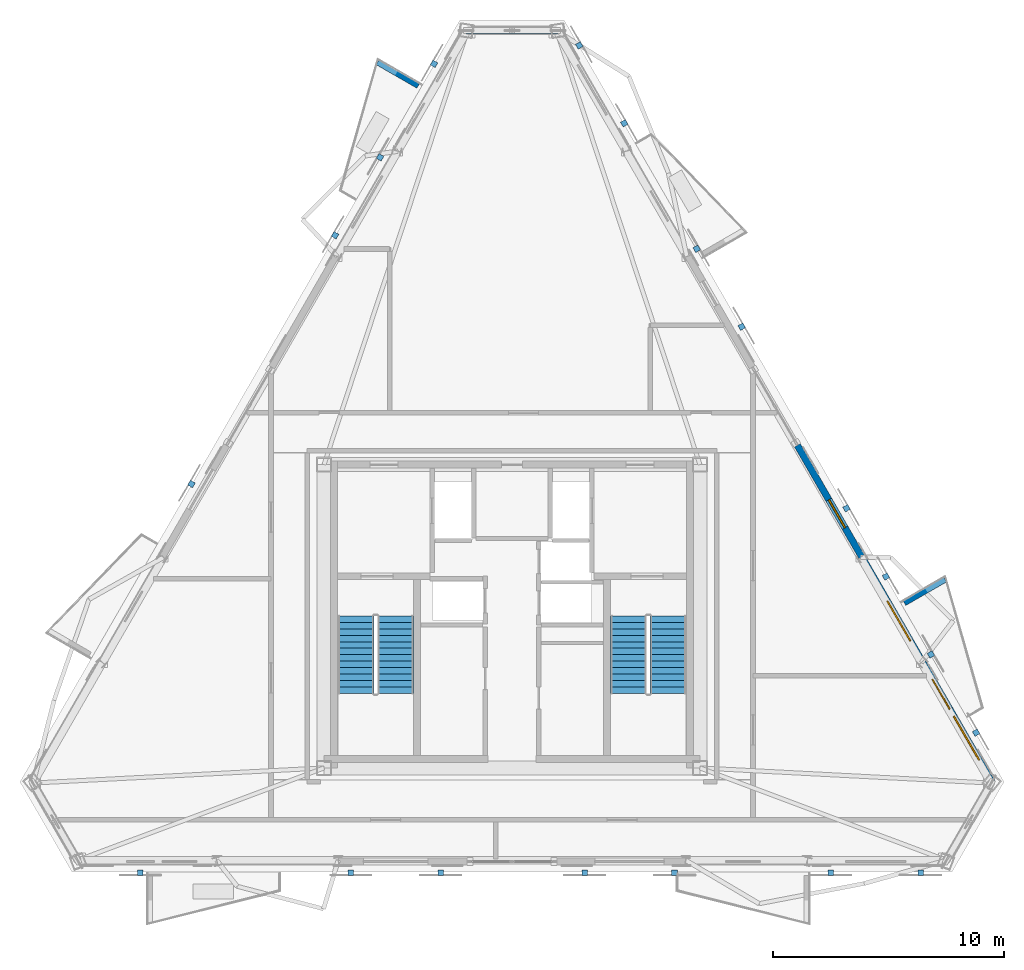
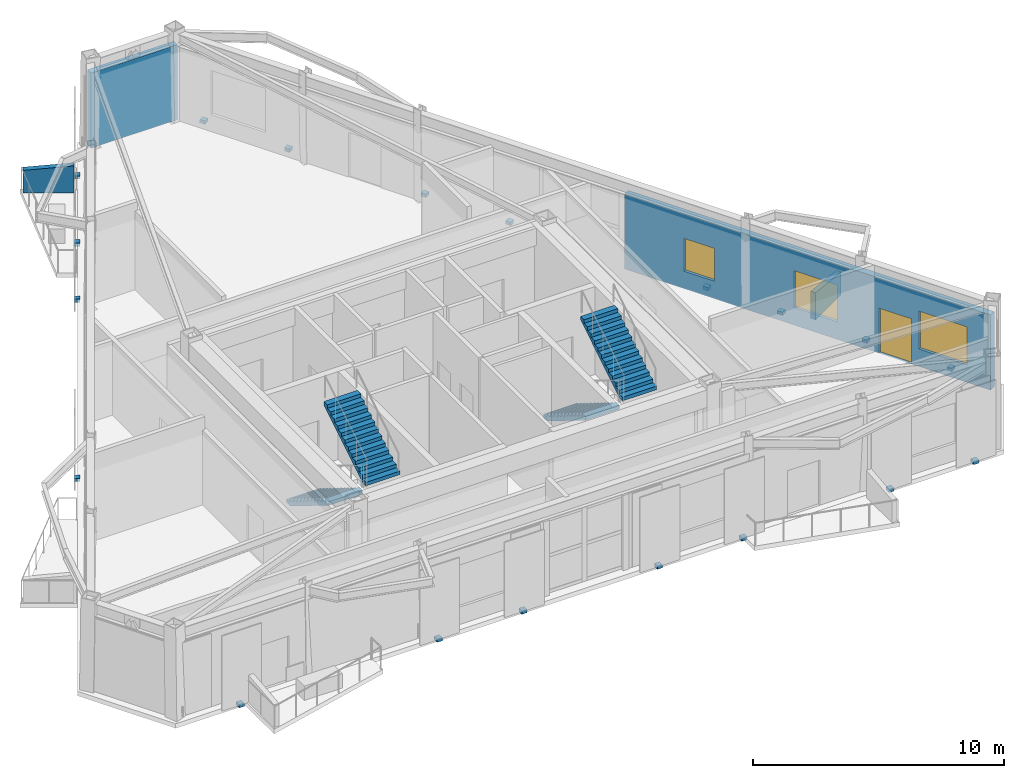
# One storey, part 12 of 16: 19 discrete accessories, 4 stair flights, 4 walls, 3 windows, 1 door, 4 openings, 2 elements without a shape of their own.
"""IFC4 building model written with IfcOpenShell, lengths in metres."""

from ifc_helpers import new_model, si_unit, direction, frame, frame_2d, origin, origin_2d, place, context, subcontext, project, spatial, polyline, rectangle, outline, extrude, material, layer, layer_set, type_object, element, fill, aggregate, save


model = new_model("IFC4")

# Units and contexts
model_context = context("Model", 3, precision=1e-05, world=origin(), true_north=direction((0.0, 1.0)))
body_context = subcontext(model_context, "Body", "Model", "MODEL_VIEW")
ifc_project = project(units=[si_unit("LENGTHUNIT", "METRE"), si_unit("AREAUNIT", "SQUARE_METRE"), si_unit("VOLUMEUNIT", "CUBIC_METRE"), si_unit("PLANEANGLEUNIT", "RADIAN"), si_unit("MASSUNIT", "GRAM", prefix="KILO")], contexts=[model_context])

# Site, building, storey
site_placement = place(None, origin())
site = spatial("IfcSite", under=ifc_project, at=site_placement, CompositionType="ELEMENT")
building_placement = place(site_placement, origin())
building = spatial("IfcBuilding", under=site, at=building_placement, Name="Oramaril Tower", CompositionType="ELEMENT")
storey_placement = place(building_placement, frame((0.0, 0.0, 296.699951171875)))
storey = spatial("IfcBuildingStorey", under=building, at=storey_placement, Name="L78", CompositionType="ELEMENT", Elevation=296.699951171875)

# Wall, openings, door, windows
ifc_material_1 = material(Name="Warm Cream Limestone", Category="masonry")
ifc_layer_1 = layer(ifc_material_1, 0.2900390625)
ifc_layer_set_1 = layer_set([ifc_layer_1], Name="WT-EXT29")
wall_type_1 = type_object("IfcWallType", Name="WT-EXT29", PredefinedType="SOLIDWALL", material=ifc_layer_set_1)
wall_1_placement = place(storey_placement, frame((58.29931640625, 10.391845703125, 0.0), z_axis=(0.0, 0.0, 1.0), x_axis=(-0.500008291124, 0.866020616849, 0.0)))
wall_1 = element("IfcWall", 1, at=wall_1_placement, inside=storey, type_object=wall_type_1, Name="L78 Tower Limestone Facade Wall 4L", PredefinedType="SOLIDWALL", context=body_context, shape_type="SweptSolid", body=[
    extrude(rectangle(XDim=16.857177734375, YDim=0.2900390625, at=frame_2d((8.4287109375, 0.0))), origin(), (0.0, 0.0, 1.0), 3.657958984375),
])
opening_1_placement = place(wall_1_placement, frame((3.639404296875, 0.0, 0.0)))
opening_1 = element("IfcOpeningElement", 2, at=opening_1_placement, cuts=wall_1, Name="Opening D-L78-BAL-NE1", PredefinedType="OPENING", context=body_context, shape_type="SweptSolid", body=[
    extrude(rectangle(XDim=1.5, YDim=2.199951171875, at=frame_2d((0.75, 1.10009765625))), frame((0.0, 0.14501953125, 0.0), z_axis=(0.0, -1.0, 0.0), x_axis=(1.0, 0.0, 0.0)), (0.0, 0.0, 1.0), 0.2900390625),
])
opening_2_placement = place(wall_1_placement, frame((1.092529296875, 0.0, 0.85009765625)))
opening_2 = element("IfcOpeningElement", 3, at=opening_2_placement, cuts=wall_1, Name="Opening WN-04", PredefinedType="OPENING", context=body_context, shape_type="SweptSolid", body=[
    extrude(rectangle(XDim=2.199951171875, YDim=1.85009765625, at=frame_2d((1.10009765625, 0.925048828125))), frame((0.0, 0.14501953125, 0.0), z_axis=(0.0, -1.0, 0.0), x_axis=(1.0, 0.0, 0.0)), (0.0, 0.0, 1.0), 0.2900390625),
])
opening_3_placement = place(wall_1_placement, frame((7.0556640625, 0.0, 0.85009765625)))
opening_3 = element("IfcOpeningElement", 4, at=opening_3_placement, cuts=wall_1, Name="Opening WN-05", PredefinedType="OPENING", context=body_context, shape_type="SweptSolid", body=[
    extrude(rectangle(XDim=2.0, YDim=1.800048828125, at=frame_2d((1.0, 0.89990234375))), frame((0.0, 0.14501953125, 0.0), z_axis=(0.0, -1.0, 0.0), x_axis=(1.0, 0.0, 0.0)), (0.0, 0.0, 1.0), 0.2900390625),
])
opening_4_placement = place(wall_1_placement, frame((12.7265625, 0.0, 0.85009765625)))
opening_4 = element("IfcOpeningElement", 5, at=opening_4_placement, cuts=wall_1, Name="Opening WN-08", PredefinedType="OPENING", context=body_context, shape_type="SweptSolid", body=[
    extrude(rectangle(XDim=1.39990234375, YDim=1.60009765625, at=frame_2d((0.699951171875, 0.800048828125))), frame((0.0, 0.14501953125, 0.0), z_axis=(0.0, -1.0, 0.0), x_axis=(1.0, 0.0, 0.0)), (0.0, 0.0, 1.0), 0.2900390625),
])
ifc_material_2 = material(Name="Anodised Aluminium 6063-T6", Category="aluminium")
door_type = type_object("IfcDoorType", Name="DT-BAL", OperationType="NOTDEFINED", PredefinedType="DOOR", material=ifc_material_2)
door_placement = place(opening_1_placement, origin())
door = element("IfcDoor", 6, at=door_placement, inside=storey, type_object=door_type, Name="L78 Balcony Glazed Door L78-BAL-NE1", OperationType="SINGLE_SWING_LEFT", OverallHeight=2.199951171875, OverallWidth=1.5, PredefinedType="DOOR", context=body_context, shape_type="SweptSolid", body=[
    extrude(rectangle(XDim=1.5, YDim=2.199951171875, at=frame_2d((0.75, 1.10009765625))), frame((0.0, 0.02490234375, 0.0), z_axis=(0.0, -1.0, 0.0), x_axis=(1.0, 0.0, 0.0)), (0.0, 0.0, 1.0), 0.050048828125),
])
fill(opening_1, door)
ifc_material_3 = material(Name="Coastal Low-E Insulated Glass", Category="glass")
window_type_1 = type_object("IfcWindowType", Name="WNT-04", PartitioningType="SINGLE_PANEL", PredefinedType="WINDOW", material=ifc_material_3)
window_1_placement = place(opening_2_placement, origin())
window_1 = element("IfcWindow", 7, at=window_1_placement, inside=storey, type_object=window_type_1, Name="L78 Chicago Bay Window WN-04", OverallHeight=1.85009765625, OverallWidth=2.199951171875, PartitioningType="SINGLE_PANEL", PredefinedType="WINDOW", context=body_context, shape_type="SweptSolid", body=[
    extrude(rectangle(XDim=2.199951171875, YDim=1.85009765625, at=frame_2d((1.10009765625, 0.925048828125))), frame((0.0, 0.030029296875, 0.0), z_axis=(0.0, -1.0, 0.0), x_axis=(1.0, 0.0, 0.0)), (0.0, 0.0, 1.0), 0.06005859375),
])
fill(opening_2, window_1)
ifc_material_4 = material(Name="Coastal Low-E Insulated Glass", Category="glass")
window_type_2 = type_object("IfcWindowType", Name="WNT-05", PartitioningType="SINGLE_PANEL", PredefinedType="WINDOW", material=ifc_material_4)
window_2_placement = place(opening_3_placement, origin())
window_2 = element("IfcWindow", 8, at=window_2_placement, inside=storey, type_object=window_type_2, Name="L78 Chicago Bay Window WN-05", OverallHeight=1.800048828125, OverallWidth=2.0, PartitioningType="SINGLE_PANEL", PredefinedType="WINDOW", context=body_context, shape_type="SweptSolid", body=[
    extrude(rectangle(XDim=2.0, YDim=1.800048828125, at=frame_2d((1.0, 0.89990234375))), frame((0.0, 0.030029296875, 0.0), z_axis=(0.0, -1.0, 0.0), x_axis=(1.0, 0.0, 0.0)), (0.0, 0.0, 1.0), 0.06005859375),
])
fill(opening_3, window_2)
ifc_material_5 = material(Name="Coastal Low-E Insulated Glass", Category="glass")
window_type_3 = type_object("IfcWindowType", Name="WNT-08", PartitioningType="SINGLE_PANEL", PredefinedType="WINDOW", material=ifc_material_5)
window_3_placement = place(opening_4_placement, origin())
window_3 = element("IfcWindow", 9, at=window_3_placement, inside=storey, type_object=window_type_3, Name="L78 Chicago Bay Window WN-08", OverallHeight=1.60009765625, OverallWidth=1.39990234375, PartitioningType="SINGLE_PANEL", PredefinedType="WINDOW", context=body_context, shape_type="SweptSolid", body=[
    extrude(rectangle(XDim=1.39990234375, YDim=1.60009765625, at=frame_2d((0.699951171875, 0.800048828125))), frame((0.0, 0.030029296875, 0.0), z_axis=(0.0, -1.0, 0.0), x_axis=(1.0, 0.0, 0.0)), (0.0, 0.0, 1.0), 0.06005859375),
])
fill(opening_4, window_3)

# Walls
wall_2_placement = place(storey_placement, frame((39.4921875, 42.966796875, 0.0), z_axis=(0.0, 0.0, 1.0), x_axis=(-1.0, 0.0, 0.0)))
element("IfcWall", 10, at=wall_2_placement, inside=storey, type_object=wall_type_1, Name="L78 Tower Limestone Facade Wall 5M", PredefinedType="SOLIDWALL", context=body_context, shape_type="SweptSolid", body=[
    extrude(rectangle(XDim=3.984375, YDim=0.2900390625, at=frame_2d((1.9921875, 0.0))), origin(), (0.0, 0.0, 1.0), 3.657958984375),
])
ifc_material_6 = material(Name="Concrete C40/50", Category="concrete")
ifc_layer_2 = layer(ifc_material_6, 0.22998046875)
ifc_layer_set_2 = layer_set([ifc_layer_2], Name="WT-PRP23")
wall_type_2 = type_object("IfcWallType", Name="WT-PRP23", PredefinedType="PARAPET", material=ifc_layer_set_2)
for number, where, z_axis, x_axis, name in (
    (11, (54.514892578125, 18.142578125, 0.0), (0.0, 0.0, 1.0), (0.866012356593, 0.500022597718, 0.0), "L78 Trapezoidal Balcony Frame Cheek L78-BAL-NE1-R"),
    (12, (33.432861328125, 40.568603515625, 0.0), (0.0, 0.0, 1.0), (-0.866042246008, 0.499970827278, 0.0), "L78 Trapezoidal Balcony Frame Cheek L78-BAL-NW1-L"),
):
    element("IfcWall", number, at=place(storey_placement, frame(where, z_axis=z_axis, x_axis=x_axis)), inside=storey, type_object=wall_type_2, Name=name, PredefinedType="PARAPET", context=body_context, shape_type="SweptSolid", body=[
        extrude(outline(polyline([(0.0, 0.0), (2.0419921875, 0.0), (2.0419921875, 1.10009765625), (0.0, 1.320068359375), (0.0, 0.0)])), frame((0.0, 0.114990234375, 0.0), z_axis=(0.0, -1.0, 0.0), x_axis=(1.0, 0.0, 0.0)), (0.0, 0.0, 1.0), 0.22998046875),
    ])

# Stair, stair flights
ifc_material_7 = material(Name="Concrete C50/60", Category="concrete")
stair_type = type_object("IfcStairType", Name="STT-DG-4500", PredefinedType="HALF_TURN_STAIR", material=ifc_material_7)
stair_1_placement = place(storey_placement, origin())
stair_1 = element("IfcStair", 13, at=stair_1_placement, inside=storey, type_object=stair_type, Name="L78 Protected PFP Exit Stair ST-1", PredefinedType="HALF_TURN_STAIR")
ifc_material_8 = material(Name="Concrete C50/60", Category="concrete")
stair_flight_type = type_object("IfcStairFlightType", Name="SFT-DG-4500", PredefinedType="STRAIGHT", material=ifc_material_8)
stair_flight_1_placement = place(storey_placement, frame((30.72998046875, 17.590087890625, 0.0), z_axis=(0.0, 0.0, 1.0), x_axis=(0.0, -1.0, 0.0)))
stair_flight_1 = element("IfcStairFlight", 14, at=stair_flight_1_placement, type_object=stair_flight_type, Name="ST-1 flight 1", NumberOfRisers=13, NumberOfTreads=12, PredefinedType="STRAIGHT", RiserHeight=0.173076923, TreadLength=0.28, context=body_context, shape_type="SweptSolid", body=[
    extrude(outline(polyline([(0.0, 0.0), (0.0, 0.173095703125), (0.280029296875, 0.173095703125), (0.280029296875, 0.34619140625), (0.56005859375, 0.34619140625), (0.56005859375, 0.519287109375), (0.840087890625, 0.519287109375), (0.840087890625, 0.6923828125), (1.1201171875, 0.6923828125), (1.1201171875, 0.865478515625), (1.39990234375, 0.865478515625), (1.39990234375, 1.03857421875), (1.679931640625, 1.03857421875), (1.679931640625, 1.21142578125), (1.9599609375, 1.21142578125), (1.9599609375, 1.384521484375), (2.239990234375, 1.384521484375), (2.239990234375, 1.5576171875), (2.52001953125, 1.5576171875), (2.52001953125, 1.730712890625), (2.800048828125, 1.730712890625), (2.800048828125, 1.90380859375), (3.080078125, 1.90380859375), (3.080078125, 2.076904296875), (3.360107421875, 2.076904296875), (3.360107421875, 2.25), (3.360107421875, 1.900634765625), (0.28515625, 0.0), (0.0, 0.0)])), frame((0.0, 0.780029296875, 0.0), z_axis=(0.0, -1.0, 0.0), x_axis=(1.0, 0.0, 0.0)), (0.0, 0.0, 1.0), 1.56005859375),
])
stair_flight_2_placement = place(storey_placement, frame((32.43994140625, 14.22998046875, 2.25), z_axis=(0.0, 0.0, 1.0), x_axis=(0.0, 1.0, 0.0)))
stair_flight_2 = element("IfcStairFlight", 15, at=stair_flight_2_placement, type_object=stair_flight_type, Name="ST-1 flight 2", NumberOfRisers=13, NumberOfTreads=12, PredefinedType="STRAIGHT", RiserHeight=0.173076923, TreadLength=0.28, context=body_context, shape_type="SweptSolid", body=[
    extrude(outline(polyline([(0.0, 0.0), (0.0, 0.173095703125), (0.280029296875, 0.173095703125), (0.280029296875, 0.34619140625), (0.56005859375, 0.34619140625), (0.56005859375, 0.519287109375), (0.840087890625, 0.519287109375), (0.840087890625, 0.6923828125), (1.1201171875, 0.6923828125), (1.1201171875, 0.865478515625), (1.39990234375, 0.865478515625), (1.39990234375, 1.03857421875), (1.679931640625, 1.03857421875), (1.679931640625, 1.21142578125), (1.9599609375, 1.21142578125), (1.9599609375, 1.384521484375), (2.239990234375, 1.384521484375), (2.239990234375, 1.5576171875), (2.52001953125, 1.5576171875), (2.52001953125, 1.730712890625), (2.800048828125, 1.730712890625), (2.800048828125, 1.90380859375), (3.080078125, 1.90380859375), (3.080078125, 2.076904296875), (3.360107421875, 2.076904296875), (3.360107421875, 2.25), (3.360107421875, 1.900634765625), (0.28515625, 0.0), (0.0, 0.0)])), frame((0.0, 0.780029296875, 0.0), z_axis=(0.0, -1.0, 0.0), x_axis=(1.0, 0.0, 0.0)), (0.0, 0.0, 1.0), 1.56005859375),
])
aggregate(stair_1, [stair_flight_1, stair_flight_2])

stair_2_placement = place(storey_placement, origin())
stair_2 = element("IfcStair", 16, at=stair_2_placement, inside=storey, type_object=stair_type, Name="L78 Protected PFP Exit Stair ST-2", PredefinedType="HALF_TURN_STAIR")
stair_flight_3_placement = place(storey_placement, frame((42.56005859375, 17.590087890625, 0.0), z_axis=(0.0, 0.0, 1.0), x_axis=(0.0, -1.0, 0.0)))
stair_flight_3 = element("IfcStairFlight", 17, at=stair_flight_3_placement, type_object=stair_flight_type, Name="ST-2 flight 1", NumberOfRisers=13, NumberOfTreads=12, PredefinedType="STRAIGHT", RiserHeight=0.173076923, TreadLength=0.28, context=body_context, shape_type="SweptSolid", body=[
    extrude(outline(polyline([(0.0, 0.0), (0.0, 0.173095703125), (0.280029296875, 0.173095703125), (0.280029296875, 0.34619140625), (0.56005859375, 0.34619140625), (0.56005859375, 0.519287109375), (0.840087890625, 0.519287109375), (0.840087890625, 0.6923828125), (1.1201171875, 0.6923828125), (1.1201171875, 0.865478515625), (1.39990234375, 0.865478515625), (1.39990234375, 1.03857421875), (1.679931640625, 1.03857421875), (1.679931640625, 1.21142578125), (1.9599609375, 1.21142578125), (1.9599609375, 1.384521484375), (2.239990234375, 1.384521484375), (2.239990234375, 1.5576171875), (2.52001953125, 1.5576171875), (2.52001953125, 1.730712890625), (2.800048828125, 1.730712890625), (2.800048828125, 1.90380859375), (3.080078125, 1.90380859375), (3.080078125, 2.076904296875), (3.360107421875, 2.076904296875), (3.360107421875, 2.25), (3.360107421875, 1.900634765625), (0.28515625, 0.0), (0.0, 0.0)])), frame((0.0, 0.780029296875, 0.0), z_axis=(0.0, -1.0, 0.0), x_axis=(1.0, 0.0, 0.0)), (0.0, 0.0, 1.0), 1.56005859375),
])
stair_flight_4_placement = place(storey_placement, frame((44.27001953125, 14.22998046875, 2.25), z_axis=(0.0, 0.0, 1.0), x_axis=(0.0, 1.0, 0.0)))
stair_flight_4 = element("IfcStairFlight", 18, at=stair_flight_4_placement, type_object=stair_flight_type, Name="ST-2 flight 2", NumberOfRisers=13, NumberOfTreads=12, PredefinedType="STRAIGHT", RiserHeight=0.173076923, TreadLength=0.28, context=body_context, shape_type="SweptSolid", body=[
    extrude(outline(polyline([(0.0, 0.0), (0.0, 0.173095703125), (0.280029296875, 0.173095703125), (0.280029296875, 0.34619140625), (0.56005859375, 0.34619140625), (0.56005859375, 0.519287109375), (0.840087890625, 0.519287109375), (0.840087890625, 0.6923828125), (1.1201171875, 0.6923828125), (1.1201171875, 0.865478515625), (1.39990234375, 0.865478515625), (1.39990234375, 1.03857421875), (1.679931640625, 1.03857421875), (1.679931640625, 1.21142578125), (1.9599609375, 1.21142578125), (1.9599609375, 1.384521484375), (2.239990234375, 1.384521484375), (2.239990234375, 1.5576171875), (2.52001953125, 1.5576171875), (2.52001953125, 1.730712890625), (2.800048828125, 1.730712890625), (2.800048828125, 1.90380859375), (3.080078125, 1.90380859375), (3.080078125, 2.076904296875), (3.360107421875, 2.076904296875), (3.360107421875, 2.25), (3.360107421875, 1.900634765625), (0.28515625, 0.0), (0.0, 0.0)])), frame((0.0, 0.780029296875, 0.0), z_axis=(0.0, -1.0, 0.0), x_axis=(1.0, 0.0, 0.0)), (0.0, 0.0, 1.0), 1.56005859375),
])
aggregate(stair_2, [stair_flight_3, stair_flight_4])

# Discrete accessories
for number, where, z_axis, x_axis, name in (
    (19, (21.387451171875, 6.46142578125, -0.14013671875), (0.0, 0.0, 1.0), (1.0, 0.0, 0.0), "L78 Solar Screen Slab Bracket"),
    (20, (30.50537109375, 6.46142578125, -0.14013671875), (0.0, 0.0, 1.0), (1.0, 0.0, 0.0), "L78 Solar Screen Slab Bracket"),
    (21, (34.405517578125, 6.46142578125, -0.14013671875), (0.0, 0.0, 1.0), (1.0, 0.0, 0.0), "L78 Solar Screen Slab Bracket"),
    (22, (40.64453125, 6.46142578125, -0.14013671875), (0.0, 0.0, 1.0), (1.0, 0.0, 0.0), "L78 Solar Screen Slab Bracket"),
    (23, (44.544677734375, 6.46142578125, -0.14013671875), (0.0, 0.0, 1.0), (1.0, 0.0, 0.0), "L78 Solar Screen Slab Bracket"),
    (24, (51.3125, 6.46142578125, -0.14013671875), (0.0, 0.0, 1.0), (1.0, 0.0, 0.0), "L78 Solar Screen Slab Bracket"),
    (25, (55.21240234375, 6.46142578125, -0.14013671875), (0.0, 0.0, 1.0), (1.0, 0.0, 0.0), "L78 Solar Screen Slab Bracket"),
    (26, (57.61865234375, 12.530517578125, -0.14013671875), (0.0, 0.0, 1.0), (-0.499996976998, 0.866027149108, 0.0), "L78 Solar Screen Slab Bracket"),
    (27, (55.662109375, 15.919677734375, -0.14013671875), (0.0, 0.0, 1.0), (-0.499996976998, 0.866027149108, 0.0), "L78 Solar Screen Slab Bracket"),
    (28, (53.712158203125, 19.297119140625, -0.14013671875), (0.0, 0.0, 1.0), (-0.499996976998, 0.866027149108, 0.0), "L78 Solar Screen Slab Bracket"),
    (29, (52.001708984375, 22.259521484375, -0.14013671875), (0.0, 0.0, 1.0), (-0.499996976998, 0.866027149108, 0.0), "L78 Solar Screen Slab Bracket"),
    (30, (47.4580078125, 30.12939453125, -0.14013671875), (0.0, 0.0, 1.0), (-0.500001511499, 0.866024531118, 0.0), "L78 Solar Screen Slab Bracket"),
    (31, (45.508056640625, 33.5068359375, -0.14013671875), (0.0, 0.0, 1.0), (-0.500001511499, 0.866024531118, 0.0), "L78 Solar Screen Slab Bracket"),
    (32, (42.36572265625, 38.949462890625, -0.14013671875), (0.0, 0.0, 1.0), (-0.500001511499, 0.866024531118, 0.0), "L78 Solar Screen Slab Bracket"),
    (33, (40.415771484375, 42.326904296875, -0.14013671875), (0.0, 0.0, 1.0), (-0.500001511499, 0.866024531118, 0.0), "L78 Solar Screen Slab Bracket"),
    (34, (34.121337890625, 41.525146484375, -0.14013671875), (0.0, 0.0, 1.0), (-0.499996976998, -0.866027149108, 0.0), "L78 Solar Screen Slab Bracket"),
    (35, (31.780517578125, 37.470703125, -0.14013671875), (0.0, 0.0, 1.0), (-0.499996976998, -0.866027149108, 0.0), "L78 Solar Screen Slab Bracket"),
    (36, (29.83056640625, 34.09326171875, -0.14013671875), (0.0, 0.0, 1.0), (-0.499996976998, -0.866027149108, 0.0), "L78 Solar Screen Slab Bracket"),
    (37, (23.6044921875, 23.3095703125, -0.14013671875), (0.0, 0.0, 1.0), (-0.500001511499, -0.866024531118, 0.0), "L78 Solar Screen Slab Bracket"),
):
    element("IfcDiscreteAccessory", number, at=place(storey_placement, frame(where, z_axis=z_axis, x_axis=x_axis)), inside=storey, Name=name, PredefinedType="BRACKET", context=body_context, shape_type="SweptSolid", body=[
        extrude(rectangle(XDim=0.239990234375, YDim=0.239990234375, at=origin_2d()), origin(), (0.0, 0.0, 1.0), 0.159912109375),
    ])

save(model, "model.ifc")
